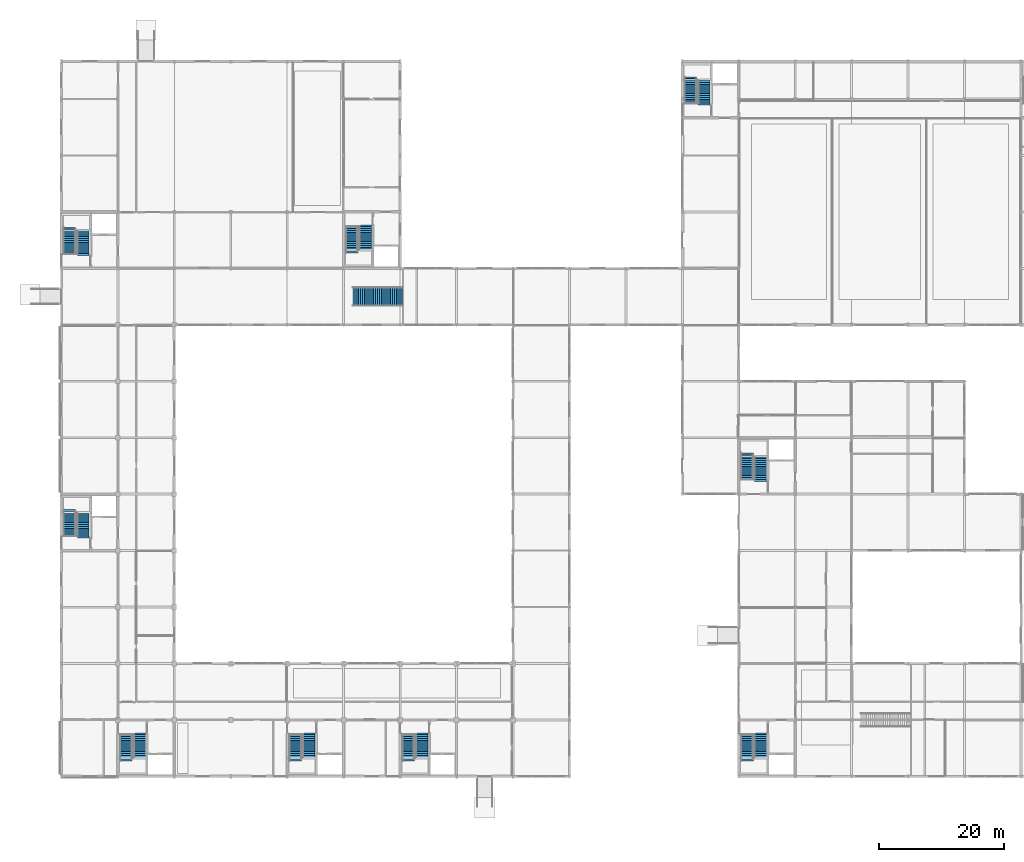
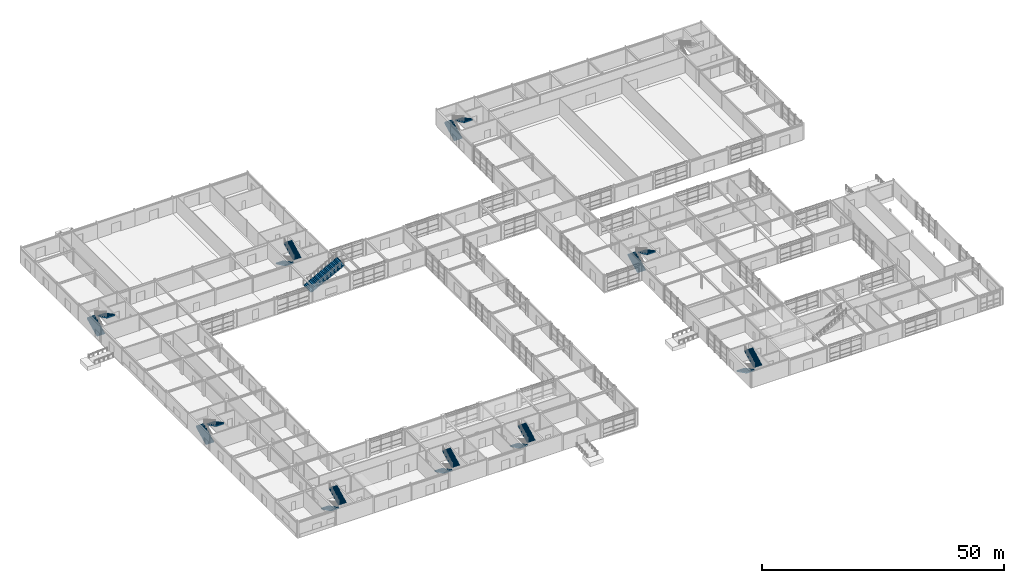
# One storey, part 68 of 72: 19 stair flights, 10 elements without a shape of their own.
"""IFC4 building model written with IfcOpenShell, lengths in metres."""

from ifc_helpers import new_model, si_unit, direction, frame, origin, place, context, subcontext, project, spatial, polyline, outline, extrude, material, type_object, element, aggregate, save


model = new_model("IFC4")

# Units and contexts
model_context = context("Model", 3, precision=1e-05, world=origin(), true_north=direction((0.0, 1.0)))
body_context = subcontext(model_context, "Body", "Model", "MODEL_VIEW")
ifc_project = project(units=[si_unit("LENGTHUNIT", "METRE"), si_unit("AREAUNIT", "SQUARE_METRE"), si_unit("VOLUMEUNIT", "CUBIC_METRE"), si_unit("PLANEANGLEUNIT", "RADIAN"), si_unit("MASSUNIT", "GRAM", prefix="KILO")], contexts=[model_context])

# Site, building, storey
site_placement = place(None, origin())
site = spatial("IfcSite", under=ifc_project, at=site_placement, CompositionType="ELEMENT")
building_placement = place(site_placement, origin())
building = spatial("IfcBuilding", under=site, at=building_placement, Name="Palais des Congres Ocreval", CompositionType="ELEMENT")
storey_placement = place(building_placement, origin())
storey = spatial("IfcBuildingStorey", under=building, at=storey_placement, Name="L00", CompositionType="ELEMENT", Elevation=0.0)

# Stair, stair flights
ifc_material_1 = material(Name="Concrete C40/50", Category="concrete")
stair_type_1 = type_object("IfcStairType", Name="Commission Core Stair 1950 Concrete C40/50", PredefinedType="HALF_TURN_STAIR", material=ifc_material_1)
stair_1_placement = place(storey_placement, origin())
stair_1 = element("IfcStair", 1, at=stair_1_placement, inside=storey, type_object=stair_type_1, Name="Protected Core Stair ST09 L00", PredefinedType="HALF_TURN_STAIR")
stair_flight_type_1 = type_object("IfcStairFlightType", Name="Commission Stair Flight W1950 Concrete C40/50", PredefinedType="STRAIGHT", material=ifc_material_1)
stair_flight_1_placement = place(storey_placement, frame((109.344970703125, 6.64990234375, 0.0), z_axis=(0.0, 0.0, 1.0), x_axis=(0.0, -1.0, 0.0)))
stair_flight_1 = element("IfcStairFlight", 2, at=stair_flight_1_placement, type_object=stair_flight_type_1, Name="Stair ST09 L00 Flight 1", NumberOfRisers=14, NumberOfTreads=13, PredefinedType="STRAIGHT", RiserHeight=0.16, TreadLength=0.3, context=body_context, shape_type="SweptSolid", body=[
    extrude(outline(polyline([(-0.006103515625, 0.0), (-0.006103515625, 0.080078125), (0.0, 0.159912109375), (0.300048828125, 0.159912109375), (0.300048828125, 0.320068359375), (0.60009765625, 0.320068359375), (0.60009765625, 0.47998046875), (0.89990234375, 0.47998046875), (0.89990234375, 0.639892578125), (1.199951171875, 0.639892578125), (1.199951171875, 0.800048828125), (1.5, 0.800048828125), (1.5, 0.9599609375), (1.800048828125, 0.9599609375), (1.800048828125, 1.1201171875), (2.10009765625, 1.1201171875), (2.10009765625, 1.280029296875), (2.39990234375, 1.280029296875), (2.39990234375, 1.43994140625), (2.699951171875, 1.43994140625), (2.699951171875, 1.60009765625), (3.0, 1.60009765625), (3.0, 1.760009765625), (3.300048828125, 1.760009765625), (3.300048828125, 1.919921875), (3.60009765625, 1.919921875), (3.60009765625, 2.080078125), (3.89990234375, 2.080078125), (3.89990234375, 2.239990234375), (4.199951171875, 2.239990234375), (4.199951171875, 1.898681640625), (0.33984375, 0.0), (-0.006103515625, 0.0)])), frame((0.0, 0.97509765625, 0.0), z_axis=(0.0, -1.0, 0.0), x_axis=(1.0, 0.0, 0.0)), (0.0, 0.0, 1.0), 1.949951171875),
])
stair_flight_2_placement = place(storey_placement, frame((111.455078125, 3.050048828125, 2.239990234375), z_axis=(0.0, 0.0, 1.0), x_axis=(0.0, 1.0, 0.0)))
stair_flight_2 = element("IfcStairFlight", 3, at=stair_flight_2_placement, type_object=stair_flight_type_1, Name="Stair ST09 L00 Flight 2", NumberOfRisers=13, NumberOfTreads=12, PredefinedType="STRAIGHT", RiserHeight=0.16, TreadLength=0.3, context=body_context, shape_type="SweptSolid", body=[
    extrude(outline(polyline([(-0.006103515625, 0.0), (-0.006103515625, 0.080078125), (0.0, 0.159912109375), (0.300048828125, 0.159912109375), (0.300048828125, 0.320068359375), (0.60009765625, 0.320068359375), (0.60009765625, 0.47998046875), (0.89990234375, 0.47998046875), (0.89990234375, 0.639892578125), (1.199951171875, 0.639892578125), (1.199951171875, 0.800048828125), (1.5, 0.800048828125), (1.5, 0.9599609375), (1.800048828125, 0.9599609375), (1.800048828125, 1.1201171875), (2.10009765625, 1.1201171875), (2.10009765625, 1.280029296875), (2.39990234375, 1.280029296875), (2.39990234375, 1.43994140625), (2.699951171875, 1.43994140625), (2.699951171875, 1.60009765625), (3.0, 1.60009765625), (3.0, 1.760009765625), (3.300048828125, 1.760009765625), (3.300048828125, 1.919921875), (3.60009765625, 1.919921875), (3.60009765625, 2.080078125), (3.89990234375, 2.080078125), (3.89990234375, 1.73876953125), (0.33984375, 0.0), (-0.006103515625, 0.0)])), frame((0.0, 0.97509765625, 0.0), z_axis=(0.0, -1.0, 0.0), x_axis=(1.0, 0.0, 0.0)), (0.0, 0.0, 1.0), 1.949951171875),
])
aggregate(stair_1, [stair_flight_1, stair_flight_2])

stair_type_2 = type_object("IfcStairType", Name="Protected Core Stair L00 1900 Concrete C40/50", PredefinedType="HALF_TURN_STAIR", material=ifc_material_1)
stair_2_placement = place(storey_placement, origin())
stair_2 = element("IfcStair", 4, at=stair_2_placement, inside=storey, type_object=stair_type_2, Name="Protected Core Stair ST01 L00", PredefinedType="HALF_TURN_STAIR")
stair_flight_type_2 = type_object("IfcStairFlightType", Name="Core Stair Flight 14R x 160/300 W1900 Concrete C40/50", PredefinedType="STRAIGHT", material=ifc_material_1)
stair_flight_3_placement = place(storey_placement, frame((10.320068359375, 6.64990234375, 0.0), z_axis=(0.0, 0.0, 1.0), x_axis=(0.0, -1.0, 0.0)))
stair_flight_3 = element("IfcStairFlight", 5, at=stair_flight_3_placement, type_object=stair_flight_type_2, Name="Stair ST01 L00 Flight 1", NumberOfRisers=14, NumberOfTreads=13, PredefinedType="STRAIGHT", RiserHeight=0.16, TreadLength=0.3, context=body_context, shape_type="SweptSolid", body=[
    extrude(outline(polyline([(-0.006103515625, 0.0), (-0.006103515625, 0.080078125), (0.0, 0.159912109375), (0.300048828125, 0.159912109375), (0.300048828125, 0.320068359375), (0.60009765625, 0.320068359375), (0.60009765625, 0.47998046875), (0.89990234375, 0.47998046875), (0.89990234375, 0.639892578125), (1.199951171875, 0.639892578125), (1.199951171875, 0.800048828125), (1.5, 0.800048828125), (1.5, 0.9599609375), (1.800048828125, 0.9599609375), (1.800048828125, 1.1201171875), (2.10009765625, 1.1201171875), (2.10009765625, 1.280029296875), (2.39990234375, 1.280029296875), (2.39990234375, 1.43994140625), (2.699951171875, 1.43994140625), (2.699951171875, 1.60009765625), (3.0, 1.60009765625), (3.0, 1.760009765625), (3.300048828125, 1.760009765625), (3.300048828125, 1.919921875), (3.60009765625, 1.919921875), (3.60009765625, 2.080078125), (3.89990234375, 2.080078125), (3.89990234375, 2.239990234375), (4.199951171875, 2.239990234375), (4.199951171875, 1.898681640625), (0.33984375, 0.0), (-0.006103515625, 0.0)])), frame((0.0, 0.949951171875, 0.0), z_axis=(0.0, -1.0, 0.0), x_axis=(1.0, 0.0, 0.0)), (0.0, 0.0, 1.0), 1.89990234375),
])
stair_flight_4_placement = place(storey_placement, frame((12.47998046875, 3.050048828125, 2.239990234375), z_axis=(0.0, 0.0, 1.0), x_axis=(0.0, 1.0, 0.0)))
stair_flight_4 = element("IfcStairFlight", 6, at=stair_flight_4_placement, type_object=stair_flight_type_2, Name="Stair ST01 L00 Flight 2", NumberOfRisers=13, NumberOfTreads=12, PredefinedType="STRAIGHT", RiserHeight=0.16, TreadLength=0.3, context=body_context, shape_type="SweptSolid", body=[
    extrude(outline(polyline([(-0.006103515625, 0.0), (-0.006103515625, 0.080078125), (0.0, 0.159912109375), (0.300048828125, 0.159912109375), (0.300048828125, 0.320068359375), (0.60009765625, 0.320068359375), (0.60009765625, 0.47998046875), (0.89990234375, 0.47998046875), (0.89990234375, 0.639892578125), (1.199951171875, 0.639892578125), (1.199951171875, 0.800048828125), (1.5, 0.800048828125), (1.5, 0.9599609375), (1.800048828125, 0.9599609375), (1.800048828125, 1.1201171875), (2.10009765625, 1.1201171875), (2.10009765625, 1.280029296875), (2.39990234375, 1.280029296875), (2.39990234375, 1.43994140625), (2.699951171875, 1.43994140625), (2.699951171875, 1.60009765625), (3.0, 1.60009765625), (3.0, 1.760009765625), (3.300048828125, 1.760009765625), (3.300048828125, 1.919921875), (3.60009765625, 1.919921875), (3.60009765625, 2.080078125), (3.89990234375, 2.080078125), (3.89990234375, 1.73876953125), (0.33984375, 0.0), (-0.006103515625, 0.0)])), frame((0.0, 0.949951171875, 0.0), z_axis=(0.0, -1.0, 0.0), x_axis=(1.0, 0.0, 0.0)), (0.0, 0.0, 1.0), 1.89990234375),
])
aggregate(stair_2, [stair_flight_3, stair_flight_4])

stair_3_placement = place(storey_placement, origin())
stair_3 = element("IfcStair", 7, at=stair_3_placement, inside=storey, type_object=stair_type_2, Name="Protected Core Stair ST02 L00", PredefinedType="HALF_TURN_STAIR")
stair_flight_5_placement = place(storey_placement, frame((37.320068359375, 6.64990234375, 0.0), z_axis=(0.0, 0.0, 1.0), x_axis=(0.0, -1.0, 0.0)))
stair_flight_5 = element("IfcStairFlight", 8, at=stair_flight_5_placement, type_object=stair_flight_type_2, Name="Stair ST02 L00 Flight 1", NumberOfRisers=14, NumberOfTreads=13, PredefinedType="STRAIGHT", RiserHeight=0.16, TreadLength=0.3, context=body_context, shape_type="SweptSolid", body=[
    extrude(outline(polyline([(-0.006103515625, 0.0), (-0.006103515625, 0.080078125), (0.0, 0.159912109375), (0.300048828125, 0.159912109375), (0.300048828125, 0.320068359375), (0.60009765625, 0.320068359375), (0.60009765625, 0.47998046875), (0.89990234375, 0.47998046875), (0.89990234375, 0.639892578125), (1.199951171875, 0.639892578125), (1.199951171875, 0.800048828125), (1.5, 0.800048828125), (1.5, 0.9599609375), (1.800048828125, 0.9599609375), (1.800048828125, 1.1201171875), (2.10009765625, 1.1201171875), (2.10009765625, 1.280029296875), (2.39990234375, 1.280029296875), (2.39990234375, 1.43994140625), (2.699951171875, 1.43994140625), (2.699951171875, 1.60009765625), (3.0, 1.60009765625), (3.0, 1.760009765625), (3.300048828125, 1.760009765625), (3.300048828125, 1.919921875), (3.60009765625, 1.919921875), (3.60009765625, 2.080078125), (3.89990234375, 2.080078125), (3.89990234375, 2.239990234375), (4.199951171875, 2.239990234375), (4.199951171875, 1.898681640625), (0.33984375, 0.0), (-0.006103515625, 0.0)])), frame((0.0, 0.949951171875, 0.0), z_axis=(0.0, -1.0, 0.0), x_axis=(1.0, 0.0, 0.0)), (0.0, 0.0, 1.0), 1.89990234375),
])
stair_flight_6_placement = place(storey_placement, frame((39.47998046875, 3.050048828125, 2.239990234375), z_axis=(0.0, 0.0, 1.0), x_axis=(0.0, 1.0, 0.0)))
stair_flight_6 = element("IfcStairFlight", 9, at=stair_flight_6_placement, type_object=stair_flight_type_2, Name="Stair ST02 L00 Flight 2", NumberOfRisers=13, NumberOfTreads=12, PredefinedType="STRAIGHT", RiserHeight=0.16, TreadLength=0.3, context=body_context, shape_type="SweptSolid", body=[
    extrude(outline(polyline([(-0.006103515625, 0.0), (-0.006103515625, 0.080078125), (0.0, 0.159912109375), (0.300048828125, 0.159912109375), (0.300048828125, 0.320068359375), (0.60009765625, 0.320068359375), (0.60009765625, 0.47998046875), (0.89990234375, 0.47998046875), (0.89990234375, 0.639892578125), (1.199951171875, 0.639892578125), (1.199951171875, 0.800048828125), (1.5, 0.800048828125), (1.5, 0.9599609375), (1.800048828125, 0.9599609375), (1.800048828125, 1.1201171875), (2.10009765625, 1.1201171875), (2.10009765625, 1.280029296875), (2.39990234375, 1.280029296875), (2.39990234375, 1.43994140625), (2.699951171875, 1.43994140625), (2.699951171875, 1.60009765625), (3.0, 1.60009765625), (3.0, 1.760009765625), (3.300048828125, 1.760009765625), (3.300048828125, 1.919921875), (3.60009765625, 1.919921875), (3.60009765625, 2.080078125), (3.89990234375, 2.080078125), (3.89990234375, 1.73876953125), (0.33984375, 0.0), (-0.006103515625, 0.0)])), frame((0.0, 0.949951171875, 0.0), z_axis=(0.0, -1.0, 0.0), x_axis=(1.0, 0.0, 0.0)), (0.0, 0.0, 1.0), 1.89990234375),
])
aggregate(stair_3, [stair_flight_5, stair_flight_6])

stair_4_placement = place(storey_placement, origin())
stair_4 = element("IfcStair", 10, at=stair_4_placement, inside=storey, type_object=stair_type_2, Name="Protected Core Stair ST03 L00", PredefinedType="HALF_TURN_STAIR")
stair_flight_7_placement = place(storey_placement, frame((1.320068359375, 38.35009765625, 0.0), z_axis=(0.0, 0.0, 1.0), x_axis=(0.0, 1.0, 0.0)))
stair_flight_7 = element("IfcStairFlight", 11, at=stair_flight_7_placement, type_object=stair_flight_type_2, Name="Stair ST03 L00 Flight 1", NumberOfRisers=14, NumberOfTreads=13, PredefinedType="STRAIGHT", RiserHeight=0.16, TreadLength=0.3, context=body_context, shape_type="SweptSolid", body=[
    extrude(outline(polyline([(-0.006103515625, 0.0), (-0.006103515625, 0.080078125), (0.0, 0.159912109375), (0.300048828125, 0.159912109375), (0.300048828125, 0.320068359375), (0.60009765625, 0.320068359375), (0.60009765625, 0.47998046875), (0.89990234375, 0.47998046875), (0.89990234375, 0.639892578125), (1.199951171875, 0.639892578125), (1.199951171875, 0.800048828125), (1.5, 0.800048828125), (1.5, 0.9599609375), (1.800048828125, 0.9599609375), (1.800048828125, 1.1201171875), (2.10009765625, 1.1201171875), (2.10009765625, 1.280029296875), (2.39990234375, 1.280029296875), (2.39990234375, 1.43994140625), (2.699951171875, 1.43994140625), (2.699951171875, 1.60009765625), (3.0, 1.60009765625), (3.0, 1.760009765625), (3.300048828125, 1.760009765625), (3.300048828125, 1.919921875), (3.60009765625, 1.919921875), (3.60009765625, 2.080078125), (3.89990234375, 2.080078125), (3.89990234375, 2.239990234375), (4.199951171875, 2.239990234375), (4.199951171875, 1.898681640625), (0.33984375, 0.0), (-0.006103515625, 0.0)])), frame((0.0, 0.949951171875, 0.0), z_axis=(0.0, -1.0, 0.0), x_axis=(1.0, 0.0, 0.0)), (0.0, 0.0, 1.0), 1.89990234375),
])
stair_flight_8_placement = place(storey_placement, frame((3.47998046875, 41.949951171875, 2.239990234375), z_axis=(0.0, 0.0, 1.0), x_axis=(0.0, -1.0, 0.0)))
stair_flight_8 = element("IfcStairFlight", 12, at=stair_flight_8_placement, type_object=stair_flight_type_2, Name="Stair ST03 L00 Flight 2", NumberOfRisers=13, NumberOfTreads=12, PredefinedType="STRAIGHT", RiserHeight=0.16, TreadLength=0.3, context=body_context, shape_type="SweptSolid", body=[
    extrude(outline(polyline([(-0.006103515625, 0.0), (-0.006103515625, 0.080078125), (0.0, 0.159912109375), (0.300048828125, 0.159912109375), (0.300048828125, 0.320068359375), (0.60009765625, 0.320068359375), (0.60009765625, 0.47998046875), (0.89990234375, 0.47998046875), (0.89990234375, 0.639892578125), (1.199951171875, 0.639892578125), (1.199951171875, 0.800048828125), (1.5, 0.800048828125), (1.5, 0.9599609375), (1.800048828125, 0.9599609375), (1.800048828125, 1.1201171875), (2.10009765625, 1.1201171875), (2.10009765625, 1.280029296875), (2.39990234375, 1.280029296875), (2.39990234375, 1.43994140625), (2.699951171875, 1.43994140625), (2.699951171875, 1.60009765625), (3.0, 1.60009765625), (3.0, 1.760009765625), (3.300048828125, 1.760009765625), (3.300048828125, 1.919921875), (3.60009765625, 1.919921875), (3.60009765625, 2.080078125), (3.89990234375, 2.080078125), (3.89990234375, 1.73876953125), (0.33984375, 0.0), (-0.006103515625, 0.0)])), frame((0.0, 0.949951171875, 0.0), z_axis=(0.0, -1.0, 0.0), x_axis=(1.0, 0.0, 0.0)), (0.0, 0.0, 1.0), 1.89990234375),
])
aggregate(stair_4, [stair_flight_7, stair_flight_8])

stair_5_placement = place(storey_placement, origin())
stair_5 = element("IfcStair", 13, at=stair_5_placement, inside=storey, type_object=stair_type_2, Name="Protected Core Stair ST04 L00", PredefinedType="HALF_TURN_STAIR")
stair_flight_9_placement = place(storey_placement, frame((55.320068359375, 6.64990234375, 0.0), z_axis=(0.0, 0.0, 1.0), x_axis=(0.0, -1.0, 0.0)))
stair_flight_9 = element("IfcStairFlight", 14, at=stair_flight_9_placement, type_object=stair_flight_type_2, Name="Stair ST04 L00 Flight 1", NumberOfRisers=14, NumberOfTreads=13, PredefinedType="STRAIGHT", RiserHeight=0.16, TreadLength=0.3, context=body_context, shape_type="SweptSolid", body=[
    extrude(outline(polyline([(-0.006103515625, 0.0), (-0.006103515625, 0.080078125), (0.0, 0.159912109375), (0.300048828125, 0.159912109375), (0.300048828125, 0.320068359375), (0.60009765625, 0.320068359375), (0.60009765625, 0.47998046875), (0.89990234375, 0.47998046875), (0.89990234375, 0.639892578125), (1.199951171875, 0.639892578125), (1.199951171875, 0.800048828125), (1.5, 0.800048828125), (1.5, 0.9599609375), (1.800048828125, 0.9599609375), (1.800048828125, 1.1201171875), (2.10009765625, 1.1201171875), (2.10009765625, 1.280029296875), (2.39990234375, 1.280029296875), (2.39990234375, 1.43994140625), (2.699951171875, 1.43994140625), (2.699951171875, 1.60009765625), (3.0, 1.60009765625), (3.0, 1.760009765625), (3.300048828125, 1.760009765625), (3.300048828125, 1.919921875), (3.60009765625, 1.919921875), (3.60009765625, 2.080078125), (3.89990234375, 2.080078125), (3.89990234375, 2.239990234375), (4.199951171875, 2.239990234375), (4.199951171875, 1.898681640625), (0.33984375, 0.0), (-0.006103515625, 0.0)])), frame((0.0, 0.949951171875, 0.0), z_axis=(0.0, -1.0, 0.0), x_axis=(1.0, 0.0, 0.0)), (0.0, 0.0, 1.0), 1.89990234375),
])
stair_flight_10_placement = place(storey_placement, frame((57.47998046875, 3.050048828125, 2.239990234375), z_axis=(0.0, 0.0, 1.0), x_axis=(0.0, 1.0, 0.0)))
stair_flight_10 = element("IfcStairFlight", 15, at=stair_flight_10_placement, type_object=stair_flight_type_2, Name="Stair ST04 L00 Flight 2", NumberOfRisers=13, NumberOfTreads=12, PredefinedType="STRAIGHT", RiserHeight=0.16, TreadLength=0.3, context=body_context, shape_type="SweptSolid", body=[
    extrude(outline(polyline([(-0.006103515625, 0.0), (-0.006103515625, 0.080078125), (0.0, 0.159912109375), (0.300048828125, 0.159912109375), (0.300048828125, 0.320068359375), (0.60009765625, 0.320068359375), (0.60009765625, 0.47998046875), (0.89990234375, 0.47998046875), (0.89990234375, 0.639892578125), (1.199951171875, 0.639892578125), (1.199951171875, 0.800048828125), (1.5, 0.800048828125), (1.5, 0.9599609375), (1.800048828125, 0.9599609375), (1.800048828125, 1.1201171875), (2.10009765625, 1.1201171875), (2.10009765625, 1.280029296875), (2.39990234375, 1.280029296875), (2.39990234375, 1.43994140625), (2.699951171875, 1.43994140625), (2.699951171875, 1.60009765625), (3.0, 1.60009765625), (3.0, 1.760009765625), (3.300048828125, 1.760009765625), (3.300048828125, 1.919921875), (3.60009765625, 1.919921875), (3.60009765625, 2.080078125), (3.89990234375, 2.080078125), (3.89990234375, 1.73876953125), (0.33984375, 0.0), (-0.006103515625, 0.0)])), frame((0.0, 0.949951171875, 0.0), z_axis=(0.0, -1.0, 0.0), x_axis=(1.0, 0.0, 0.0)), (0.0, 0.0, 1.0), 1.89990234375),
])
aggregate(stair_5, [stair_flight_9, stair_flight_10])

stair_6_placement = place(storey_placement, origin())
stair_6 = element("IfcStair", 16, at=stair_6_placement, inside=storey, type_object=stair_type_2, Name="Protected Core Stair ST05 L00", PredefinedType="HALF_TURN_STAIR")
stair_flight_11_placement = place(storey_placement, frame((1.320068359375, 83.35009765625, 0.0), z_axis=(0.0, 0.0, 1.0), x_axis=(0.0, 1.0, 0.0)))
stair_flight_11 = element("IfcStairFlight", 17, at=stair_flight_11_placement, type_object=stair_flight_type_2, Name="Stair ST05 L00 Flight 1", NumberOfRisers=14, NumberOfTreads=13, PredefinedType="STRAIGHT", RiserHeight=0.16, TreadLength=0.3, context=body_context, shape_type="SweptSolid", body=[
    extrude(outline(polyline([(-0.006103515625, 0.0), (-0.006103515625, 0.080078125), (0.0, 0.159912109375), (0.300048828125, 0.159912109375), (0.300048828125, 0.320068359375), (0.60009765625, 0.320068359375), (0.60009765625, 0.47998046875), (0.89990234375, 0.47998046875), (0.89990234375, 0.639892578125), (1.199951171875, 0.639892578125), (1.199951171875, 0.800048828125), (1.5, 0.800048828125), (1.5, 0.9599609375), (1.800048828125, 0.9599609375), (1.800048828125, 1.1201171875), (2.10009765625, 1.1201171875), (2.10009765625, 1.280029296875), (2.39990234375, 1.280029296875), (2.39990234375, 1.43994140625), (2.699951171875, 1.43994140625), (2.699951171875, 1.60009765625), (3.0, 1.60009765625), (3.0, 1.760009765625), (3.300048828125, 1.760009765625), (3.300048828125, 1.919921875), (3.60009765625, 1.919921875), (3.60009765625, 2.080078125), (3.89990234375, 2.080078125), (3.89990234375, 2.239990234375), (4.199951171875, 2.239990234375), (4.199951171875, 1.898681640625), (0.33984375, 0.0), (-0.006103515625, 0.0)])), frame((0.0, 0.949951171875, 0.0), z_axis=(0.0, -1.0, 0.0), x_axis=(1.0, 0.0, 0.0)), (0.0, 0.0, 1.0), 1.89990234375),
])
stair_flight_12_placement = place(storey_placement, frame((3.47998046875, 86.949951171875, 2.239990234375), z_axis=(0.0, 0.0, 1.0), x_axis=(0.0, -1.0, 0.0)))
stair_flight_12 = element("IfcStairFlight", 18, at=stair_flight_12_placement, type_object=stair_flight_type_2, Name="Stair ST05 L00 Flight 2", NumberOfRisers=13, NumberOfTreads=12, PredefinedType="STRAIGHT", RiserHeight=0.16, TreadLength=0.3, context=body_context, shape_type="SweptSolid", body=[
    extrude(outline(polyline([(-0.006103515625, 0.0), (-0.006103515625, 0.080078125), (0.0, 0.159912109375), (0.300048828125, 0.159912109375), (0.300048828125, 0.320068359375), (0.60009765625, 0.320068359375), (0.60009765625, 0.47998046875), (0.89990234375, 0.47998046875), (0.89990234375, 0.639892578125), (1.199951171875, 0.639892578125), (1.199951171875, 0.800048828125), (1.5, 0.800048828125), (1.5, 0.9599609375), (1.800048828125, 0.9599609375), (1.800048828125, 1.1201171875), (2.10009765625, 1.1201171875), (2.10009765625, 1.280029296875), (2.39990234375, 1.280029296875), (2.39990234375, 1.43994140625), (2.699951171875, 1.43994140625), (2.699951171875, 1.60009765625), (3.0, 1.60009765625), (3.0, 1.760009765625), (3.300048828125, 1.760009765625), (3.300048828125, 1.919921875), (3.60009765625, 1.919921875), (3.60009765625, 2.080078125), (3.89990234375, 2.080078125), (3.89990234375, 1.73876953125), (0.33984375, 0.0), (-0.006103515625, 0.0)])), frame((0.0, 0.949951171875, 0.0), z_axis=(0.0, -1.0, 0.0), x_axis=(1.0, 0.0, 0.0)), (0.0, 0.0, 1.0), 1.89990234375),
])
aggregate(stair_6, [stair_flight_11, stair_flight_12])

stair_7_placement = place(storey_placement, origin())
stair_7 = element("IfcStair", 19, at=stair_7_placement, inside=storey, type_object=stair_type_2, Name="Protected Core Stair ST06 L00", PredefinedType="HALF_TURN_STAIR")
stair_flight_13_placement = place(storey_placement, frame((46.320068359375, 87.64990234375, 0.0), z_axis=(0.0, 0.0, 1.0), x_axis=(0.0, -1.0, 0.0)))
stair_flight_13 = element("IfcStairFlight", 20, at=stair_flight_13_placement, type_object=stair_flight_type_2, Name="Stair ST06 L00 Flight 1", NumberOfRisers=14, NumberOfTreads=13, PredefinedType="STRAIGHT", RiserHeight=0.16, TreadLength=0.3, context=body_context, shape_type="SweptSolid", body=[
    extrude(outline(polyline([(-0.006103515625, 0.0), (-0.006103515625, 0.080078125), (0.0, 0.159912109375), (0.300048828125, 0.159912109375), (0.300048828125, 0.320068359375), (0.60009765625, 0.320068359375), (0.60009765625, 0.47998046875), (0.89990234375, 0.47998046875), (0.89990234375, 0.639892578125), (1.199951171875, 0.639892578125), (1.199951171875, 0.800048828125), (1.5, 0.800048828125), (1.5, 0.9599609375), (1.800048828125, 0.9599609375), (1.800048828125, 1.1201171875), (2.10009765625, 1.1201171875), (2.10009765625, 1.280029296875), (2.39990234375, 1.280029296875), (2.39990234375, 1.43994140625), (2.699951171875, 1.43994140625), (2.699951171875, 1.60009765625), (3.0, 1.60009765625), (3.0, 1.760009765625), (3.300048828125, 1.760009765625), (3.300048828125, 1.919921875), (3.60009765625, 1.919921875), (3.60009765625, 2.080078125), (3.89990234375, 2.080078125), (3.89990234375, 2.239990234375), (4.199951171875, 2.239990234375), (4.199951171875, 1.898681640625), (0.33984375, 0.0), (-0.006103515625, 0.0)])), frame((0.0, 0.949951171875, 0.0), z_axis=(0.0, -1.0, 0.0), x_axis=(1.0, 0.0, 0.0)), (0.0, 0.0, 1.0), 1.89990234375),
])
stair_flight_14_placement = place(storey_placement, frame((48.47998046875, 84.050048828125, 2.239990234375), z_axis=(0.0, 0.0, 1.0), x_axis=(0.0, 1.0, 0.0)))
stair_flight_14 = element("IfcStairFlight", 21, at=stair_flight_14_placement, type_object=stair_flight_type_2, Name="Stair ST06 L00 Flight 2", NumberOfRisers=13, NumberOfTreads=12, PredefinedType="STRAIGHT", RiserHeight=0.16, TreadLength=0.3, context=body_context, shape_type="SweptSolid", body=[
    extrude(outline(polyline([(-0.006103515625, 0.0), (-0.006103515625, 0.080078125), (0.0, 0.159912109375), (0.300048828125, 0.159912109375), (0.300048828125, 0.320068359375), (0.60009765625, 0.320068359375), (0.60009765625, 0.47998046875), (0.89990234375, 0.47998046875), (0.89990234375, 0.639892578125), (1.199951171875, 0.639892578125), (1.199951171875, 0.800048828125), (1.5, 0.800048828125), (1.5, 0.9599609375), (1.800048828125, 0.9599609375), (1.800048828125, 1.1201171875), (2.10009765625, 1.1201171875), (2.10009765625, 1.280029296875), (2.39990234375, 1.280029296875), (2.39990234375, 1.43994140625), (2.699951171875, 1.43994140625), (2.699951171875, 1.60009765625), (3.0, 1.60009765625), (3.0, 1.760009765625), (3.300048828125, 1.760009765625), (3.300048828125, 1.919921875), (3.60009765625, 1.919921875), (3.60009765625, 2.080078125), (3.89990234375, 2.080078125), (3.89990234375, 1.73876953125), (0.33984375, 0.0), (-0.006103515625, 0.0)])), frame((0.0, 0.949951171875, 0.0), z_axis=(0.0, -1.0, 0.0), x_axis=(1.0, 0.0, 0.0)), (0.0, 0.0, 1.0), 1.89990234375),
])
aggregate(stair_7, [stair_flight_13, stair_flight_14])

stair_8_placement = place(storey_placement, origin())
stair_8 = element("IfcStair", 22, at=stair_8_placement, inside=storey, type_object=stair_type_2, Name="Protected Core Stair ST07 L00", PredefinedType="HALF_TURN_STAIR")
stair_flight_15_placement = place(storey_placement, frame((100.320068359375, 107.35009765625, 0.0), z_axis=(0.0, 0.0, 1.0), x_axis=(0.0, 1.0, 0.0)))
stair_flight_15 = element("IfcStairFlight", 23, at=stair_flight_15_placement, type_object=stair_flight_type_2, Name="Stair ST07 L00 Flight 1", NumberOfRisers=14, NumberOfTreads=13, PredefinedType="STRAIGHT", RiserHeight=0.16, TreadLength=0.3, context=body_context, shape_type="SweptSolid", body=[
    extrude(outline(polyline([(-0.006103515625, 0.0), (-0.006103515625, 0.080078125), (0.0, 0.159912109375), (0.300048828125, 0.159912109375), (0.300048828125, 0.320068359375), (0.60009765625, 0.320068359375), (0.60009765625, 0.47998046875), (0.89990234375, 0.47998046875), (0.89990234375, 0.639892578125), (1.199951171875, 0.639892578125), (1.199951171875, 0.800048828125), (1.5, 0.800048828125), (1.5, 0.9599609375), (1.800048828125, 0.9599609375), (1.800048828125, 1.1201171875), (2.10009765625, 1.1201171875), (2.10009765625, 1.280029296875), (2.39990234375, 1.280029296875), (2.39990234375, 1.43994140625), (2.699951171875, 1.43994140625), (2.699951171875, 1.60009765625), (3.0, 1.60009765625), (3.0, 1.760009765625), (3.300048828125, 1.760009765625), (3.300048828125, 1.919921875), (3.60009765625, 1.919921875), (3.60009765625, 2.080078125), (3.89990234375, 2.080078125), (3.89990234375, 2.239990234375), (4.199951171875, 2.239990234375), (4.199951171875, 1.898681640625), (0.33984375, 0.0), (-0.006103515625, 0.0)])), frame((0.0, 0.949951171875, 0.0), z_axis=(0.0, -1.0, 0.0), x_axis=(1.0, 0.0, 0.0)), (0.0, 0.0, 1.0), 1.89990234375),
])
stair_flight_16_placement = place(storey_placement, frame((102.47998046875, 110.949951171875, 2.239990234375), z_axis=(0.0, 0.0, 1.0), x_axis=(0.0, -1.0, 0.0)))
stair_flight_16 = element("IfcStairFlight", 24, at=stair_flight_16_placement, type_object=stair_flight_type_2, Name="Stair ST07 L00 Flight 2", NumberOfRisers=13, NumberOfTreads=12, PredefinedType="STRAIGHT", RiserHeight=0.16, TreadLength=0.3, context=body_context, shape_type="SweptSolid", body=[
    extrude(outline(polyline([(-0.006103515625, 0.0), (-0.006103515625, 0.080078125), (0.0, 0.159912109375), (0.300048828125, 0.159912109375), (0.300048828125, 0.320068359375), (0.60009765625, 0.320068359375), (0.60009765625, 0.47998046875), (0.89990234375, 0.47998046875), (0.89990234375, 0.639892578125), (1.199951171875, 0.639892578125), (1.199951171875, 0.800048828125), (1.5, 0.800048828125), (1.5, 0.9599609375), (1.800048828125, 0.9599609375), (1.800048828125, 1.1201171875), (2.10009765625, 1.1201171875), (2.10009765625, 1.280029296875), (2.39990234375, 1.280029296875), (2.39990234375, 1.43994140625), (2.699951171875, 1.43994140625), (2.699951171875, 1.60009765625), (3.0, 1.60009765625), (3.0, 1.760009765625), (3.300048828125, 1.760009765625), (3.300048828125, 1.919921875), (3.60009765625, 1.919921875), (3.60009765625, 2.080078125), (3.89990234375, 2.080078125), (3.89990234375, 1.73876953125), (0.33984375, 0.0), (-0.006103515625, 0.0)])), frame((0.0, 0.949951171875, 0.0), z_axis=(0.0, -1.0, 0.0), x_axis=(1.0, 0.0, 0.0)), (0.0, 0.0, 1.0), 1.89990234375),
])
aggregate(stair_8, [stair_flight_15, stair_flight_16])

# Stair, stair flight
ifc_material_2 = material(Name="Steel S355", Category="steel")
stair_type_3 = type_object("IfcStairType", Name="Monumental Galleria Feature Stair 3000 Steel S355", PredefinedType="STRAIGHT_RUN_STAIR", material=ifc_material_2)
stair_9_placement = place(storey_placement, origin())
stair_9 = element("IfcStair", 25, at=stair_9_placement, inside=storey, type_object=stair_type_3, Name="Monumental Feature Stair ST11", PredefinedType="STRAIGHT_RUN_STAIR")
stair_flight_type_3 = type_object("IfcStairFlightType", Name="Monumental Feature Flight W3000 Steel S355", PredefinedType="STRAIGHT", material=ifc_material_2)
stair_flight_17_placement = place(storey_placement, frame((46.5, 76.5, 0.0), z_axis=(0.0, 0.0, 1.0), x_axis=(1.0, 0.0, 0.0)))
stair_flight_17 = element("IfcStairFlight", 26, at=stair_flight_17_placement, type_object=stair_flight_type_3, Name="Monumental Stair Flight ST11", NumberOfRisers=27, NumberOfTreads=26, PredefinedType="STRAIGHT", RiserHeight=0.16, TreadLength=0.3, context=body_context, shape_type="SweptSolid", body=[
    extrude(outline(polyline([(-0.006103515625, 0.0), (-0.006103515625, 0.080078125), (0.0, 0.159912109375), (0.300048828125, 0.159912109375), (0.300048828125, 0.320068359375), (0.60009765625, 0.320068359375), (0.60009765625, 0.47998046875), (0.89990234375, 0.47998046875), (0.89990234375, 0.639892578125), (1.199951171875, 0.639892578125), (1.199951171875, 0.800048828125), (1.5, 0.800048828125), (1.5, 0.9599609375), (1.800048828125, 0.9599609375), (1.800048828125, 1.1201171875), (2.10009765625, 1.1201171875), (2.10009765625, 1.280029296875), (2.39990234375, 1.280029296875), (2.39990234375, 1.43994140625), (2.699951171875, 1.43994140625), (2.699951171875, 1.60009765625), (3.0, 1.60009765625), (3.0, 1.760009765625), (3.300048828125, 1.760009765625), (3.300048828125, 1.919921875), (3.60009765625, 1.919921875), (3.60009765625, 2.080078125), (3.89990234375, 2.080078125), (3.89990234375, 2.239990234375), (4.199951171875, 2.239990234375), (4.199951171875, 2.39990234375), (4.5, 2.39990234375), (4.5, 2.56005859375), (4.800048828125, 2.56005859375), (4.800048828125, 2.719970703125), (5.10009765625, 2.719970703125), (5.10009765625, 2.8798828125), (5.39990234375, 2.8798828125), (5.39990234375, 3.0400390625), (5.699951171875, 3.0400390625), (5.699951171875, 3.199951171875), (6.0, 3.199951171875), (6.0, 3.360107421875), (6.300048828125, 3.360107421875), (6.300048828125, 3.52001953125), (6.60009765625, 3.52001953125), (6.60009765625, 3.679931640625), (6.89990234375, 3.679931640625), (6.89990234375, 3.840087890625), (7.199951171875, 3.840087890625), (7.199951171875, 4.0), (7.5, 4.0), (7.5, 4.159912109375), (7.800048828125, 4.159912109375), (7.800048828125, 4.320068359375), (7.97998046875, 4.320068359375), (7.97998046875, 3.9560546875), (0.38232421875, 0.0), (-0.006103515625, 0.0)])), frame((0.0, 1.5, 0.0), z_axis=(0.0, -1.0, 0.0), x_axis=(1.0, 0.0, 0.0)), (0.0, 0.0, 1.0), 3.0),
])
aggregate(stair_9, [stair_flight_17])

# Stair, stair flights
stair_type_4 = type_object("IfcStairType", Name="Spa Pavilion Core Stair 1950 Concrete C40/50", PredefinedType="HALF_TURN_STAIR", material=ifc_material_1)
stair_10_placement = place(storey_placement, origin())
stair_10 = element("IfcStair", 27, at=stair_10_placement, inside=storey, type_object=stair_type_4, Name="Protected Core Stair ST10 L00", PredefinedType="HALF_TURN_STAIR")
stair_flight_type_4 = type_object("IfcStairFlightType", Name="Spa Pavilion Stair Flight W1950 Concrete C40/50", PredefinedType="STRAIGHT", material=ifc_material_1)
stair_flight_18_placement = place(storey_placement, frame((109.344970703125, 47.35009765625, 0.0), z_axis=(0.0, 0.0, 1.0), x_axis=(0.0, 1.0, 0.0)))
stair_flight_18 = element("IfcStairFlight", 28, at=stair_flight_18_placement, type_object=stair_flight_type_4, Name="Stair ST10 L00 Flight 1", NumberOfRisers=14, NumberOfTreads=13, PredefinedType="STRAIGHT", RiserHeight=0.16, TreadLength=0.3, context=body_context, shape_type="SweptSolid", body=[
    extrude(outline(polyline([(-0.006103515625, 0.0), (-0.006103515625, 0.080078125), (0.0, 0.159912109375), (0.300048828125, 0.159912109375), (0.300048828125, 0.320068359375), (0.60009765625, 0.320068359375), (0.60009765625, 0.47998046875), (0.89990234375, 0.47998046875), (0.89990234375, 0.639892578125), (1.199951171875, 0.639892578125), (1.199951171875, 0.800048828125), (1.5, 0.800048828125), (1.5, 0.9599609375), (1.800048828125, 0.9599609375), (1.800048828125, 1.1201171875), (2.10009765625, 1.1201171875), (2.10009765625, 1.280029296875), (2.39990234375, 1.280029296875), (2.39990234375, 1.43994140625), (2.699951171875, 1.43994140625), (2.699951171875, 1.60009765625), (3.0, 1.60009765625), (3.0, 1.760009765625), (3.300048828125, 1.760009765625), (3.300048828125, 1.919921875), (3.60009765625, 1.919921875), (3.60009765625, 2.080078125), (3.89990234375, 2.080078125), (3.89990234375, 2.239990234375), (4.199951171875, 2.239990234375), (4.199951171875, 1.898681640625), (0.33984375, 0.0), (-0.006103515625, 0.0)])), frame((0.0, 0.97509765625, 0.0), z_axis=(0.0, -1.0, 0.0), x_axis=(1.0, 0.0, 0.0)), (0.0, 0.0, 1.0), 1.949951171875),
])
stair_flight_19_placement = place(storey_placement, frame((111.455078125, 50.949951171875, 2.239990234375), z_axis=(0.0, 0.0, 1.0), x_axis=(0.0, -1.0, 0.0)))
stair_flight_19 = element("IfcStairFlight", 29, at=stair_flight_19_placement, type_object=stair_flight_type_4, Name="Stair ST10 L00 Flight 2", NumberOfRisers=13, NumberOfTreads=12, PredefinedType="STRAIGHT", RiserHeight=0.16, TreadLength=0.3, context=body_context, shape_type="SweptSolid", body=[
    extrude(outline(polyline([(-0.006103515625, 0.0), (-0.006103515625, 0.080078125), (0.0, 0.159912109375), (0.300048828125, 0.159912109375), (0.300048828125, 0.320068359375), (0.60009765625, 0.320068359375), (0.60009765625, 0.47998046875), (0.89990234375, 0.47998046875), (0.89990234375, 0.639892578125), (1.199951171875, 0.639892578125), (1.199951171875, 0.800048828125), (1.5, 0.800048828125), (1.5, 0.9599609375), (1.800048828125, 0.9599609375), (1.800048828125, 1.1201171875), (2.10009765625, 1.1201171875), (2.10009765625, 1.280029296875), (2.39990234375, 1.280029296875), (2.39990234375, 1.43994140625), (2.699951171875, 1.43994140625), (2.699951171875, 1.60009765625), (3.0, 1.60009765625), (3.0, 1.760009765625), (3.300048828125, 1.760009765625), (3.300048828125, 1.919921875), (3.60009765625, 1.919921875), (3.60009765625, 2.080078125), (3.89990234375, 2.080078125), (3.89990234375, 1.73876953125), (0.33984375, 0.0), (-0.006103515625, 0.0)])), frame((0.0, 0.97509765625, 0.0), z_axis=(0.0, -1.0, 0.0), x_axis=(1.0, 0.0, 0.0)), (0.0, 0.0, 1.0), 1.949951171875),
])
aggregate(stair_10, [stair_flight_18, stair_flight_19])

save(model, "model.ifc")
